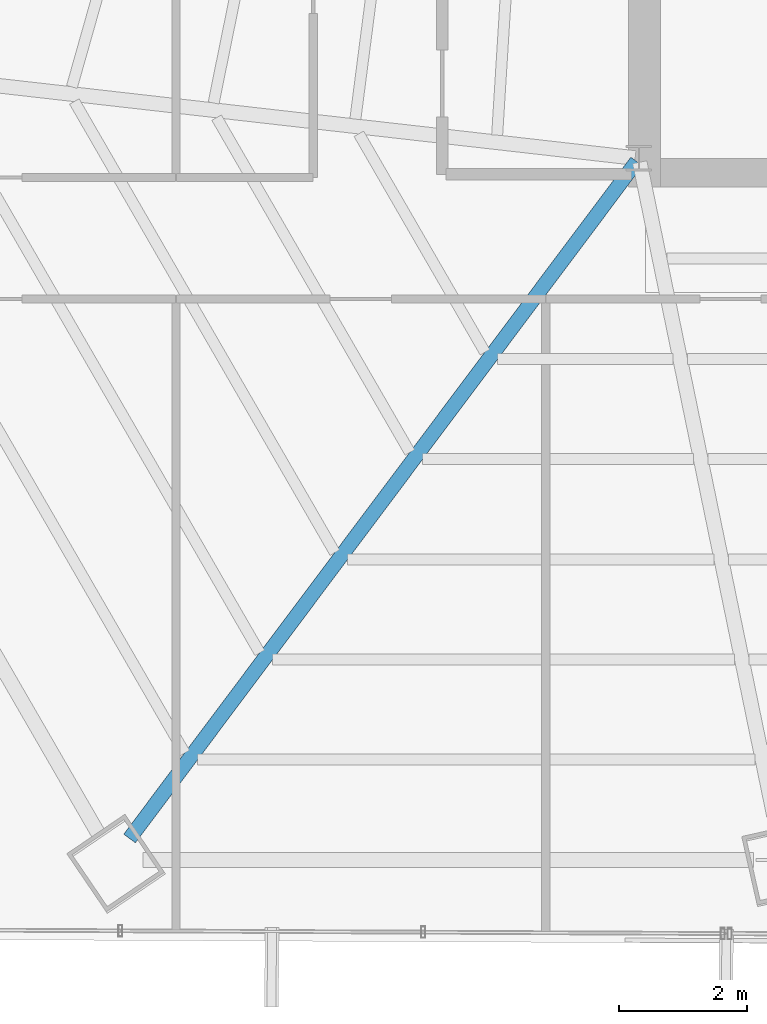
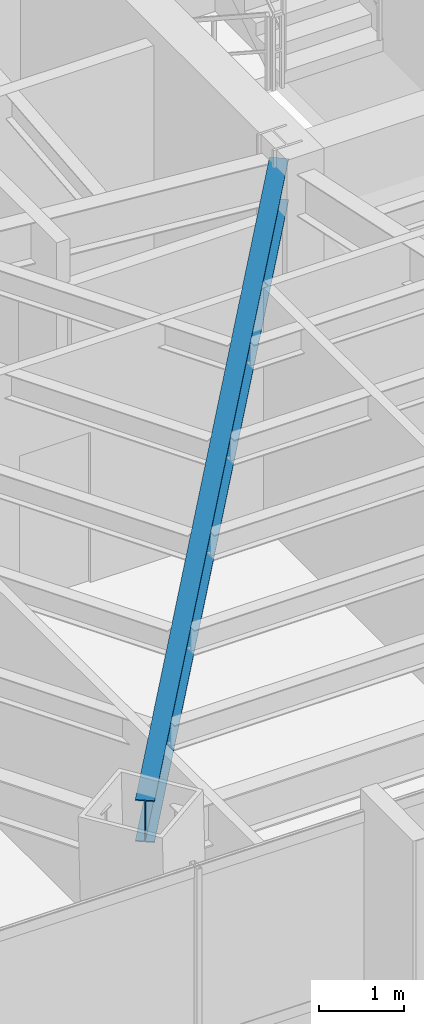
# One storey, part 5 of 37: 1 beam.
"""IFC4 building model written with IfcOpenShell, lengths in metres."""

from ifc_helpers import new_model, si_unit, direction, frame, origin, origin_2d, place, context, subcontext, project, spatial, i_section, extrude, source, transform, mapped, material, material_profile, profile_set, type_object, type_shapes, element, save


model = new_model("IFC4")

# Units and contexts
model_context = context("Model", 3, precision=1e-05, world=origin(), true_north=direction((0.0, 1.0)))
body_context = subcontext(model_context, "Body", "Model", "MODEL_VIEW")
ifc_project = project(units=[si_unit("LENGTHUNIT", "METRE"), si_unit("AREAUNIT", "SQUARE_METRE"), si_unit("VOLUMEUNIT", "CUBIC_METRE"), si_unit("PLANEANGLEUNIT", "RADIAN"), si_unit("MASSUNIT", "GRAM", prefix="KILO")], contexts=[model_context])

# Site, building, storey
site_placement = place(None, origin())
site = spatial("IfcSite", under=ifc_project, at=site_placement, CompositionType="ELEMENT")
building_placement = place(site_placement, origin())
building = spatial("IfcBuilding", under=site, at=building_placement, Name="Caelisora Broadcast Tower", CompositionType="ELEMENT")
storey_placement = place(building_placement, frame((0.0, 0.0, 105.39990234375)))
storey = spatial("IfcBuildingStorey", under=building, at=storey_placement, Name="L27", CompositionType="ELEMENT", Elevation=105.39990234375)

# Beam
ifc_material = material(Name="Steel Grade 350 (AS/NZS 3679.1)", Category="steel")
ifc_material_profile = material_profile(ifc_material, i_section(OverallWidth=0.22802734375, OverallDepth=0.602294921875, WebThickness=0.010498046875, FlangeThickness=0.014892578125, at=origin_2d()), Name="Steel Grade 350 (AS/NZS 3679.1)")
ifc_profile_set = profile_set([ifc_material_profile], Name="Steel Grade 350 (AS/NZS 3679.1)")
beam_type = type_object("IfcBeamType", Name="PG04", PredefinedType="BEAM", material=ifc_profile_set)
shared_shape = source(origin(), body_context, "Body", "SweptSolid", [
    extrude(i_section(OverallWidth=0.22802734375, OverallDepth=0.602294921875, WebThickness=0.010498046875, FlangeThickness=0.014892578125, at=origin_2d()), origin(), (0.0, 0.0, 1.0), 13.2470703125),
])
type_shapes(beam_type, [shared_shape])
beam_placement = place(storey_placement, frame((30.464111328125, 17.35205078125, 3.098876953125), z_axis=(-0.599504490676, -0.800371392329, 0.0), x_axis=(0.800371392329, -0.599504490676, 0.0)))
element("IfcBeam", 1, at=beam_placement, inside=storey, type_object=beam_type, Name="L27 beam PG04", PredefinedType="BEAM", context=body_context, shape_type="MappedRepresentation", body=[
    mapped(shared_shape, transform((0.0, 0.0, 0.0), scale=1.0)),
])

save(model, "model.ifc")
